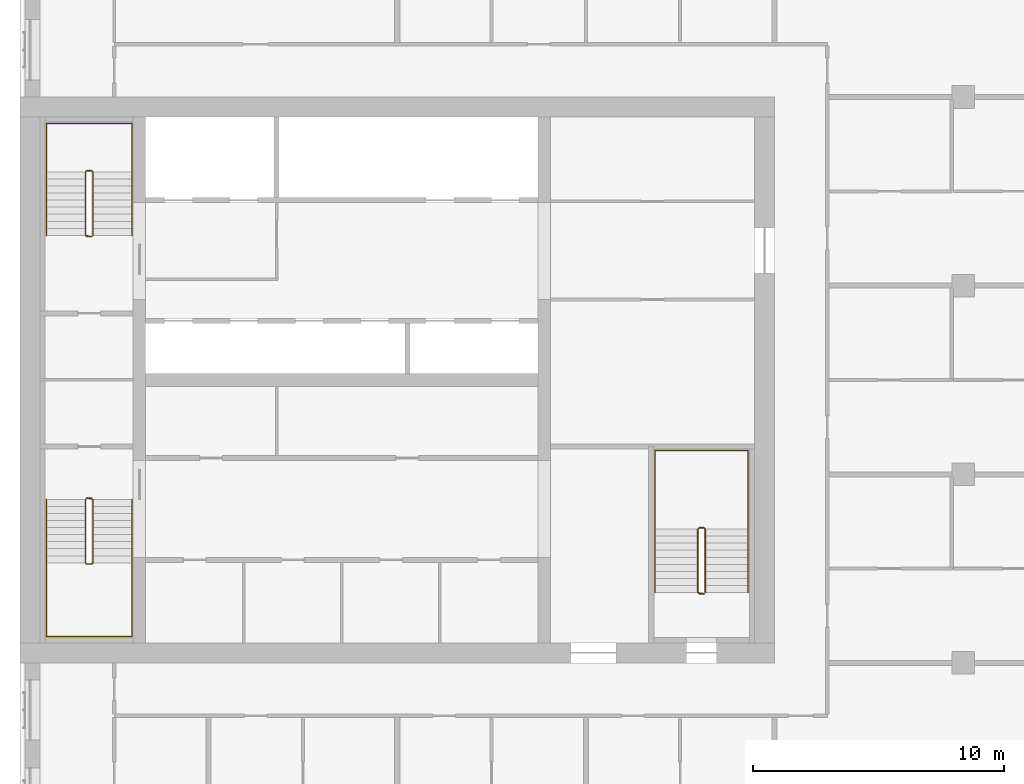
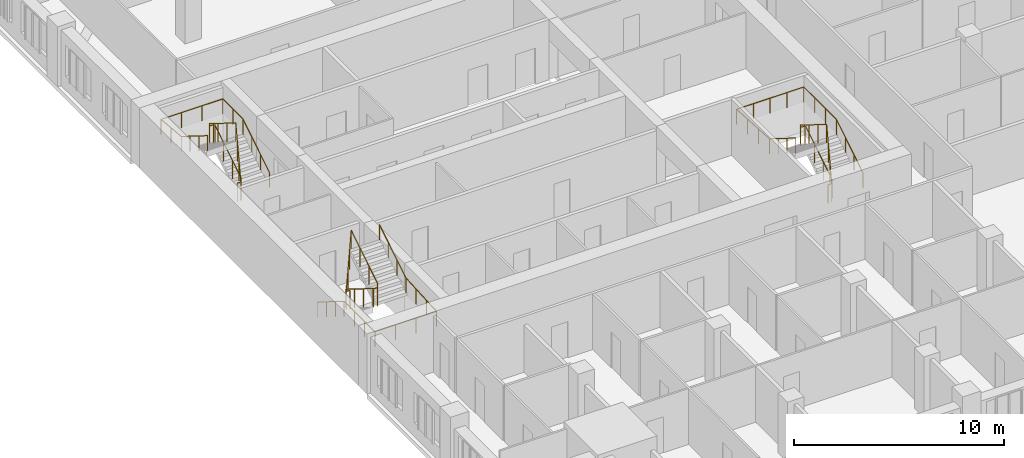
# One storey, part 14 of 14: 6 railings.
"""IFC4 building model written with IfcOpenShell, lengths in metres."""

from ifc_helpers import new_model, si_unit, direction, frame, origin, origin_2d, place, context, subcontext, project, spatial, circle, extrude, material, type_object, element, save


model = new_model("IFC4")

# Units and contexts
model_context = context("Model", 3, precision=1e-05, world=origin(), true_north=direction((0.0, 1.0)))
body_context = subcontext(model_context, "Body", "Model", "MODEL_VIEW")
ifc_project = project(units=[si_unit("LENGTHUNIT", "METRE"), si_unit("AREAUNIT", "SQUARE_METRE"), si_unit("VOLUMEUNIT", "CUBIC_METRE"), si_unit("PLANEANGLEUNIT", "RADIAN"), si_unit("MASSUNIT", "GRAM", prefix="KILO")], contexts=[model_context])

# Site, building, storey
site_placement = place(None, origin())
site = spatial("IfcSite", under=ifc_project, at=site_placement, CompositionType="ELEMENT")
building_placement = place(site_placement, origin())
building = spatial("IfcBuilding", under=site, at=building_placement, Name="Tamorin Gate", CompositionType="ELEMENT")
storey_placement = place(building_placement, frame((0.0, 0.0, 200.199951171875)))
storey = spatial("IfcBuildingStorey", under=building, at=storey_placement, Name="L49", CompositionType="ELEMENT", Elevation=200.199951171875)

# Railings
ifc_material_1 = material(Name="Painted steel balustrade", Category="steel")
railing_type_1 = type_object("IfcRailingType", Name="Stair guard 1100", PredefinedType="GUARDRAIL", material=ifc_material_1)
railing_1_placement = place(storey_placement, frame((32.60009765625, 66.5, 0.175048828125)))
element("IfcRailing", 1, at=railing_1_placement, inside=storey, type_object=railing_type_1, Name="L49 ST1 stair guard 1", PredefinedType="GUARDRAIL", context=body_context, shape_type="SweptSolid", body=[
    extrude(circle(Radius=0.02392578125, at=origin_2d()), frame((0.0, 0.0, 1.076171875), z_axis=(0.0, -0.848007534815, 0.529984170421), x_axis=(1.0, 0.0, 0.0)), (0.0, 0.0, 1.0), 2.9716796875),
    extrude(circle(Radius=0.02392578125, at=origin_2d()), frame((0.0, -2.52001953125, 2.65087890625), z_axis=(0.705375805398, -0.708833529934, 0.0), x_axis=(0.708833529934, 0.705375805398, 0.0)), (0.0, 0.0, 1.0), 0.070556640625),
    extrude(circle(Radius=0.02392578125, at=origin_2d()), frame((0.0498046875, -2.570068359375, 2.65087890625), z_axis=(1.0, 0.0, 0.0), x_axis=(0.0, 1.0, 0.0)), (0.0, 0.0, 1.0), 0.2001953125),
    extrude(circle(Radius=0.02392578125, at=origin_2d()), frame((0.25, -2.570068359375, 2.65087890625), z_axis=(0.263862480399, 0.265155923931, 0.927399011991), x_axis=(-0.708833529934, 0.705375805398, 0.0)), (0.0, 0.0, 1.0), 0.188720703125),
    extrude(circle(Radius=0.02392578125, at=origin_2d()), frame((0.2998046875, -2.52001953125, 2.826171875), z_axis=(0.0, 0.848007534815, 0.529984170421), x_axis=(-1.0, 0.0, 0.0)), (0.0, 0.0, 1.0), 2.9716796875),
    extrude(circle(Radius=0.02392578125, at=origin_2d()), frame((0.2998046875, 0.0, 4.40087890625), z_axis=(-0.071239803756, 0.014261874775, -0.997357252587), x_axis=(-0.196300278283, -0.98054382908, 0.0)), (0.0, 0.0, 1.0), 3.50927734375),
    extrude(circle(Radius=0.02392578125, at=origin_2d()), frame((0.0498046875, 0.050048828125, 0.90087890625), z_axis=(1.0, 0.0, 0.0), x_axis=(0.0, 1.0, 0.0)), (0.0, 0.0, 1.0), 0.2001953125),
    extrude(circle(Radius=0.02099609375, at=origin_2d()), origin(), (0.0, 0.0, 1.0), 1.052001953125),
    extrude(circle(Radius=0.02099609375, at=origin_2d()), frame((0.0, -0.840087890625, 0.52490234375)), (0.0, 0.0, 1.0), 1.052001953125),
    extrude(circle(Radius=0.02099609375, at=origin_2d()), frame((0.0, -1.679931640625, 1.050048828125)), (0.0, 0.0, 1.0), 1.052001953125),
    extrude(circle(Radius=0.02099609375, at=origin_2d()), frame((0.0, -2.52001953125, 1.574951171875)), (0.0, 0.0, 1.0), 1.052001953125),
    extrude(circle(Radius=0.02099609375, at=origin_2d()), frame((0.0498046875, -2.570068359375, 1.574951171875)), (0.0, 0.0, 1.0), 1.052001953125),
    extrude(circle(Radius=0.02099609375, at=origin_2d()), frame((0.25, -2.570068359375, 1.574951171875)), (0.0, 0.0, 1.0), 1.052001953125),
    extrude(circle(Radius=0.02099609375, at=origin_2d()), frame((0.2998046875, -2.52001953125, 1.75)), (0.0, 0.0, 1.0), 1.052001953125),
    extrude(circle(Radius=0.02099609375, at=origin_2d()), frame((0.2998046875, -1.679931640625, 2.27490234375)), (0.0, 0.0, 1.0), 1.052001953125),
    extrude(circle(Radius=0.02099609375, at=origin_2d()), frame((0.2998046875, -0.840087890625, 2.800048828125)), (0.0, 0.0, 1.0), 1.052001953125),
    extrude(circle(Radius=0.02099609375, at=origin_2d()), frame((0.2998046875, 0.0, 3.324951171875)), (0.0, 0.0, 1.0), 1.052001953125),
    extrude(circle(Radius=0.02099609375, at=origin_2d()), frame((0.216552734375, 0.0166015625, 2.158203125)), (0.0, 0.0, 1.0), 1.052001953125),
    extrude(circle(Radius=0.02099609375, at=origin_2d()), frame((0.133056640625, 0.033447265625, 0.99169921875)), (0.0, 0.0, 1.0), 1.052001953125),
    extrude(circle(Radius=0.02099609375, at=origin_2d()), frame((0.0498046875, 0.050048828125, -0.175048828125)), (0.0, 0.0, 1.0), 1.052001953125),
    extrude(circle(Radius=0.02099609375, at=origin_2d()), frame((0.25, 0.050048828125, -0.175048828125)), (0.0, 0.0, 1.0), 1.052001953125),
])
railing_2_placement = place(storey_placement, frame((32.89990234375, 77.0, 0.175048828125)))
element("IfcRailing", 2, at=railing_2_placement, inside=storey, type_object=railing_type_1, Name="L49 ST2 stair guard 1", PredefinedType="GUARDRAIL", context=body_context, shape_type="SweptSolid", body=[
    extrude(circle(Radius=0.02392578125, at=origin_2d()), frame((0.0, 0.0, 1.076171875), z_axis=(0.0, 0.848007534815, 0.529984170421), x_axis=(-1.0, 0.0, 0.0)), (0.0, 0.0, 1.0), 2.9716796875),
    extrude(circle(Radius=0.02392578125, at=origin_2d()), frame((0.0, 2.52001953125, 2.65087890625), z_axis=(-0.705375805398, 0.708833529934, 0.0), x_axis=(-0.708833529934, -0.705375805398, 0.0)), (0.0, 0.0, 1.0), 0.070556640625),
    extrude(circle(Radius=0.02392578125, at=origin_2d()), frame((-0.0498046875, 2.570068359375, 2.65087890625), z_axis=(-1.0, 0.0, 0.0), x_axis=(0.0, -1.0, 0.0)), (0.0, 0.0, 1.0), 0.2001953125),
    extrude(circle(Radius=0.02392578125, at=origin_2d()), frame((-0.25, 2.570068359375, 2.65087890625), z_axis=(-0.263862480399, -0.265155923931, 0.927399011991), x_axis=(0.708833529934, -0.705375805398, 0.0)), (0.0, 0.0, 1.0), 0.188720703125),
    extrude(circle(Radius=0.02392578125, at=origin_2d()), frame((-0.2998046875, 2.52001953125, 2.826171875), z_axis=(0.0, -0.848007534815, 0.529984170421), x_axis=(1.0, 0.0, 0.0)), (0.0, 0.0, 1.0), 2.9716796875),
    extrude(circle(Radius=0.02392578125, at=origin_2d()), frame((-0.2998046875, 0.0, 4.40087890625), z_axis=(0.071239803756, -0.014261874775, -0.997357252587), x_axis=(0.196300278283, 0.98054382908, 0.0)), (0.0, 0.0, 1.0), 3.50927734375),
    extrude(circle(Radius=0.02392578125, at=origin_2d()), frame((-0.0498046875, -0.050048828125, 0.90087890625), z_axis=(-1.0, 0.0, 0.0), x_axis=(0.0, -1.0, 0.0)), (0.0, 0.0, 1.0), 0.2001953125),
    extrude(circle(Radius=0.02099609375, at=origin_2d()), origin(), (0.0, 0.0, 1.0), 1.052001953125),
    extrude(circle(Radius=0.02099609375, at=origin_2d()), frame((0.0, 0.840087890625, 0.52490234375)), (0.0, 0.0, 1.0), 1.052001953125),
    extrude(circle(Radius=0.02099609375, at=origin_2d()), frame((0.0, 1.679931640625, 1.050048828125)), (0.0, 0.0, 1.0), 1.052001953125),
    extrude(circle(Radius=0.02099609375, at=origin_2d()), frame((0.0, 2.52001953125, 1.574951171875)), (0.0, 0.0, 1.0), 1.052001953125),
    extrude(circle(Radius=0.02099609375, at=origin_2d()), frame((-0.0498046875, 2.570068359375, 1.574951171875)), (0.0, 0.0, 1.0), 1.052001953125),
    extrude(circle(Radius=0.02099609375, at=origin_2d()), frame((-0.25, 2.570068359375, 1.574951171875)), (0.0, 0.0, 1.0), 1.052001953125),
    extrude(circle(Radius=0.02099609375, at=origin_2d()), frame((-0.2998046875, 2.52001953125, 1.75)), (0.0, 0.0, 1.0), 1.052001953125),
    extrude(circle(Radius=0.02099609375, at=origin_2d()), frame((-0.2998046875, 1.679931640625, 2.27490234375)), (0.0, 0.0, 1.0), 1.052001953125),
    extrude(circle(Radius=0.02099609375, at=origin_2d()), frame((-0.2998046875, 0.840087890625, 2.800048828125)), (0.0, 0.0, 1.0), 1.052001953125),
    extrude(circle(Radius=0.02099609375, at=origin_2d()), frame((-0.2998046875, 0.0, 3.324951171875)), (0.0, 0.0, 1.0), 1.052001953125),
    extrude(circle(Radius=0.02099609375, at=origin_2d()), frame((-0.216552734375, -0.0166015625, 2.158203125)), (0.0, 0.0, 1.0), 1.052001953125),
    extrude(circle(Radius=0.02099609375, at=origin_2d()), frame((-0.133056640625, -0.033447265625, 0.99169921875)), (0.0, 0.0, 1.0), 1.052001953125),
    extrude(circle(Radius=0.02099609375, at=origin_2d()), frame((-0.0498046875, -0.050048828125, -0.175048828125)), (0.0, 0.0, 1.0), 1.052001953125),
    extrude(circle(Radius=0.02099609375, at=origin_2d()), frame((-0.25, -0.050048828125, -0.175048828125)), (0.0, 0.0, 1.0), 1.052001953125),
])
railing_3_placement = place(storey_placement, frame((57.25, 62.800048828125, 0.175048828125)))
element("IfcRailing", 3, at=railing_3_placement, inside=storey, type_object=railing_type_1, Name="L49 ST3 stair guard 1", PredefinedType="GUARDRAIL", context=body_context, shape_type="SweptSolid", body=[
    extrude(circle(Radius=0.02392578125, at=origin_2d()), frame((0.0, 0.0, 1.076171875), z_axis=(0.0, 0.848007534815, 0.529984170421), x_axis=(-1.0, 0.0, 0.0)), (0.0, 0.0, 1.0), 2.9716796875),
    extrude(circle(Radius=0.02392578125, at=origin_2d()), frame((0.0, 2.52001953125, 2.65087890625), z_axis=(-0.707106781187, 0.707106781187, 0.0), x_axis=(-0.707106781187, -0.707106781187, 0.0)), (0.0, 0.0, 1.0), 0.07080078125),
    extrude(circle(Radius=0.02392578125, at=origin_2d()), frame((-0.050048828125, 2.570068359375, 2.65087890625), z_axis=(-1.0, 0.0, 0.0), x_axis=(0.0, -1.0, 0.0)), (0.0, 0.0, 1.0), 0.199951171875),
    extrude(circle(Radius=0.02392578125, at=origin_2d()), frame((-0.25, 2.570068359375, 2.65087890625), z_axis=(-0.265065253269, -0.265065253269, 0.927081885822), x_axis=(0.707106781187, -0.707106781187, 0.0)), (0.0, 0.0, 1.0), 0.188720703125),
    extrude(circle(Radius=0.02392578125, at=origin_2d()), frame((-0.300048828125, 2.52001953125, 2.826171875), z_axis=(0.0, -0.848007534815, 0.529984170421), x_axis=(1.0, 0.0, 0.0)), (0.0, 0.0, 1.0), 2.9716796875),
    extrude(circle(Radius=0.02392578125, at=origin_2d()), frame((-0.300048828125, 0.0, 4.40087890625), z_axis=(0.071239803756, -0.014261874775, -0.997357252587), x_axis=(0.196300278283, 0.98054382908, 0.0)), (0.0, 0.0, 1.0), 3.50927734375),
    extrude(circle(Radius=0.02392578125, at=origin_2d()), frame((-0.050048828125, -0.050048828125, 0.90087890625), z_axis=(-1.0, 0.0, 0.0), x_axis=(0.0, -1.0, 0.0)), (0.0, 0.0, 1.0), 0.199951171875),
    extrude(circle(Radius=0.02099609375, at=origin_2d()), origin(), (0.0, 0.0, 1.0), 1.052001953125),
    extrude(circle(Radius=0.02099609375, at=origin_2d()), frame((0.0, 0.840087890625, 0.52490234375)), (0.0, 0.0, 1.0), 1.052001953125),
    extrude(circle(Radius=0.02099609375, at=origin_2d()), frame((0.0, 1.679931640625, 1.050048828125)), (0.0, 0.0, 1.0), 1.052001953125),
    extrude(circle(Radius=0.02099609375, at=origin_2d()), frame((0.0, 2.52001953125, 1.574951171875)), (0.0, 0.0, 1.0), 1.052001953125),
    extrude(circle(Radius=0.02099609375, at=origin_2d()), frame((-0.050048828125, 2.570068359375, 1.574951171875)), (0.0, 0.0, 1.0), 1.052001953125),
    extrude(circle(Radius=0.02099609375, at=origin_2d()), frame((-0.25, 2.570068359375, 1.574951171875)), (0.0, 0.0, 1.0), 1.052001953125),
    extrude(circle(Radius=0.02099609375, at=origin_2d()), frame((-0.300048828125, 2.52001953125, 1.75)), (0.0, 0.0, 1.0), 1.052001953125),
    extrude(circle(Radius=0.02099609375, at=origin_2d()), frame((-0.300048828125, 1.679931640625, 2.27490234375)), (0.0, 0.0, 1.0), 1.052001953125),
    extrude(circle(Radius=0.02099609375, at=origin_2d()), frame((-0.300048828125, 0.840087890625, 2.800048828125)), (0.0, 0.0, 1.0), 1.052001953125),
    extrude(circle(Radius=0.02099609375, at=origin_2d()), frame((-0.300048828125, 0.0, 3.324951171875)), (0.0, 0.0, 1.0), 1.052001953125),
    extrude(circle(Radius=0.02099609375, at=origin_2d()), frame((-0.216796875, -0.0166015625, 2.158203125)), (0.0, 0.0, 1.0), 1.052001953125),
    extrude(circle(Radius=0.02099609375, at=origin_2d()), frame((-0.13330078125, -0.033447265625, 0.99169921875)), (0.0, 0.0, 1.0), 1.052001953125),
    extrude(circle(Radius=0.02099609375, at=origin_2d()), frame((-0.050048828125, -0.050048828125, -0.175048828125)), (0.0, 0.0, 1.0), 1.052001953125),
    extrude(circle(Radius=0.02099609375, at=origin_2d()), frame((-0.25, -0.050048828125, -0.175048828125)), (0.0, 0.0, 1.0), 1.052001953125),
])
ifc_material_2 = material(Name="Painted steel handrail", Category="steel")
railing_type_2 = type_object("IfcRailingType", Name="Stair handrail 900", PredefinedType="HANDRAIL", material=ifc_material_2)
railing_4_placement = place(storey_placement, frame((31.050048828125, 66.5, 0.175048828125)))
element("IfcRailing", 4, at=railing_4_placement, inside=storey, type_object=railing_type_2, Name="L49 ST1 stair handrail 1", PredefinedType="HANDRAIL", context=body_context, shape_type="SweptSolid", body=[
    extrude(circle(Radius=0.02392578125, at=origin_2d()), frame((0.0, 0.0, 0.8759765625), z_axis=(0.0, -0.848007534815, 0.529984170421), x_axis=(1.0, 0.0, 0.0)), (0.0, 0.0, 1.0), 2.9716796875),
    extrude(circle(Radius=0.02392578125, at=origin_2d()), frame((0.0, -2.52001953125, 2.45068359375), z_axis=(0.0, -1.0, 0.0), x_axis=(1.0, 0.0, 0.0)), (0.0, 0.0, 1.0), 2.929931640625),
    extrude(circle(Radius=0.02392578125, at=origin_2d()), frame((0.0, -5.449951171875, 2.45068359375), z_axis=(1.0, 0.0, 0.0), x_axis=(0.0, 1.0, 0.0)), (0.0, 0.0, 1.0), 3.39990234375),
    extrude(circle(Radius=0.02392578125, at=origin_2d()), frame((3.39990234375, -5.449951171875, 2.45068359375), z_axis=(0.0, 0.998220029962, 0.0596386769), x_axis=(-1.0, 0.0, 0.0)), (0.0, 0.0, 1.0), 2.93505859375),
    extrude(circle(Radius=0.02392578125, at=origin_2d()), frame((3.39990234375, -2.52001953125, 2.6259765625), z_axis=(0.0, 0.848007534815, 0.529984170421), x_axis=(-1.0, 0.0, 0.0)), (0.0, 0.0, 1.0), 2.9716796875),
    extrude(circle(Radius=0.02099609375, at=origin_2d()), origin(), (0.0, 0.0, 1.0), 0.851806640625),
    extrude(circle(Radius=0.02099609375, at=origin_2d()), frame((0.0, -0.840087890625, 0.52490234375)), (0.0, 0.0, 1.0), 0.851806640625),
    extrude(circle(Radius=0.02099609375, at=origin_2d()), frame((0.0, -1.679931640625, 1.050048828125)), (0.0, 0.0, 1.0), 0.851806640625),
    extrude(circle(Radius=0.02099609375, at=origin_2d()), frame((0.0, -2.52001953125, 1.574951171875)), (0.0, 0.0, 1.0), 0.851806640625),
    extrude(circle(Radius=0.02099609375, at=origin_2d()), frame((0.0, -3.49658203125, 1.574951171875)), (0.0, 0.0, 1.0), 0.851806640625),
    extrude(circle(Radius=0.02099609375, at=origin_2d()), frame((0.0, -4.473388671875, 1.574951171875)), (0.0, 0.0, 1.0), 0.851806640625),
    extrude(circle(Radius=0.02099609375, at=origin_2d()), frame((0.0, -5.449951171875, 1.574951171875)), (0.0, 0.0, 1.0), 0.851806640625),
    extrude(circle(Radius=0.02099609375, at=origin_2d()), frame((1.13330078125, -5.449951171875, 1.574951171875)), (0.0, 0.0, 1.0), 0.851806640625),
    extrude(circle(Radius=0.02099609375, at=origin_2d()), frame((2.2666015625, -5.449951171875, 1.574951171875)), (0.0, 0.0, 1.0), 0.851806640625),
    extrude(circle(Radius=0.02099609375, at=origin_2d()), frame((3.39990234375, -5.449951171875, 1.574951171875)), (0.0, 0.0, 1.0), 0.851806640625),
    extrude(circle(Radius=0.02099609375, at=origin_2d()), frame((3.39990234375, -4.473388671875, 1.63330078125)), (0.0, 0.0, 1.0), 0.851806640625),
    extrude(circle(Radius=0.02099609375, at=origin_2d()), frame((3.39990234375, -3.49658203125, 1.691650390625)), (0.0, 0.0, 1.0), 0.851806640625),
    extrude(circle(Radius=0.02099609375, at=origin_2d()), frame((3.39990234375, -2.52001953125, 1.75)), (0.0, 0.0, 1.0), 0.851806640625),
    extrude(circle(Radius=0.02099609375, at=origin_2d()), frame((3.39990234375, -1.679931640625, 2.27490234375)), (0.0, 0.0, 1.0), 0.851806640625),
    extrude(circle(Radius=0.02099609375, at=origin_2d()), frame((3.39990234375, -0.840087890625, 2.800048828125)), (0.0, 0.0, 1.0), 0.851806640625),
    extrude(circle(Radius=0.02099609375, at=origin_2d()), frame((3.39990234375, 0.0, 3.324951171875)), (0.0, 0.0, 1.0), 0.851806640625),
])
railing_5_placement = place(storey_placement, frame((34.449951171875, 77.0, 0.175048828125)))
element("IfcRailing", 5, at=railing_5_placement, inside=storey, type_object=railing_type_2, Name="L49 ST2 stair handrail 1", PredefinedType="HANDRAIL", context=body_context, shape_type="SweptSolid", body=[
    extrude(circle(Radius=0.02392578125, at=origin_2d()), frame((0.0, 0.0, 0.8759765625), z_axis=(0.0, 0.848007534815, 0.529984170421), x_axis=(-1.0, 0.0, 0.0)), (0.0, 0.0, 1.0), 2.9716796875),
    extrude(circle(Radius=0.02392578125, at=origin_2d()), frame((0.0, 2.52001953125, 2.45068359375), z_axis=(0.0, 1.0, 0.0), x_axis=(-1.0, 0.0, 0.0)), (0.0, 0.0, 1.0), 1.929931640625),
    extrude(circle(Radius=0.02392578125, at=origin_2d()), frame((0.0, 4.449951171875, 2.45068359375), z_axis=(-1.0, 0.0, 0.0), x_axis=(0.0, -1.0, 0.0)), (0.0, 0.0, 1.0), 3.39990234375),
    extrude(circle(Radius=0.02392578125, at=origin_2d()), frame((-3.39990234375, 4.449951171875, 2.45068359375), z_axis=(0.0, -0.995911773435, 0.090331276604), x_axis=(1.0, 0.0, 0.0)), (0.0, 0.0, 1.0), 1.937744140625),
    extrude(circle(Radius=0.02392578125, at=origin_2d()), frame((-3.39990234375, 2.52001953125, 2.6259765625), z_axis=(0.0, -0.848007534815, 0.529984170421), x_axis=(1.0, 0.0, 0.0)), (0.0, 0.0, 1.0), 2.9716796875),
    extrude(circle(Radius=0.02099609375, at=origin_2d()), origin(), (0.0, 0.0, 1.0), 0.851806640625),
    extrude(circle(Radius=0.02099609375, at=origin_2d()), frame((0.0, 0.840087890625, 0.52490234375)), (0.0, 0.0, 1.0), 0.851806640625),
    extrude(circle(Radius=0.02099609375, at=origin_2d()), frame((0.0, 1.679931640625, 1.050048828125)), (0.0, 0.0, 1.0), 0.851806640625),
    extrude(circle(Radius=0.02099609375, at=origin_2d()), frame((0.0, 2.52001953125, 1.574951171875)), (0.0, 0.0, 1.0), 0.851806640625),
    extrude(circle(Radius=0.02099609375, at=origin_2d()), frame((0.0, 3.48486328125, 1.574951171875)), (0.0, 0.0, 1.0), 0.851806640625),
    extrude(circle(Radius=0.02099609375, at=origin_2d()), frame((0.0, 4.449951171875, 1.574951171875)), (0.0, 0.0, 1.0), 0.851806640625),
    extrude(circle(Radius=0.02099609375, at=origin_2d()), frame((-1.13330078125, 4.449951171875, 1.574951171875)), (0.0, 0.0, 1.0), 0.851806640625),
    extrude(circle(Radius=0.02099609375, at=origin_2d()), frame((-2.2666015625, 4.449951171875, 1.574951171875)), (0.0, 0.0, 1.0), 0.851806640625),
    extrude(circle(Radius=0.02099609375, at=origin_2d()), frame((-3.39990234375, 4.449951171875, 1.574951171875)), (0.0, 0.0, 1.0), 0.851806640625),
    extrude(circle(Radius=0.02099609375, at=origin_2d()), frame((-3.39990234375, 3.48486328125, 1.66259765625)), (0.0, 0.0, 1.0), 0.851806640625),
    extrude(circle(Radius=0.02099609375, at=origin_2d()), frame((-3.39990234375, 2.52001953125, 1.75)), (0.0, 0.0, 1.0), 0.851806640625),
    extrude(circle(Radius=0.02099609375, at=origin_2d()), frame((-3.39990234375, 1.679931640625, 2.27490234375)), (0.0, 0.0, 1.0), 0.851806640625),
    extrude(circle(Radius=0.02099609375, at=origin_2d()), frame((-3.39990234375, 0.840087890625, 2.800048828125)), (0.0, 0.0, 1.0), 0.851806640625),
    extrude(circle(Radius=0.02099609375, at=origin_2d()), frame((-3.39990234375, 0.0, 3.324951171875)), (0.0, 0.0, 1.0), 0.851806640625),
])
railing_6_placement = place(storey_placement, frame((58.949951171875, 62.800048828125, 0.175048828125)))
element("IfcRailing", 6, at=railing_6_placement, inside=storey, type_object=railing_type_2, Name="L49 ST3 stair handrail 1", PredefinedType="HANDRAIL", context=body_context, shape_type="SweptSolid", body=[
    extrude(circle(Radius=0.02392578125, at=origin_2d()), frame((0.0, 0.0, 0.8759765625), z_axis=(0.0, 0.848007534815, 0.529984170421), x_axis=(-1.0, 0.0, 0.0)), (0.0, 0.0, 1.0), 2.9716796875),
    extrude(circle(Radius=0.02392578125, at=origin_2d()), frame((0.0, 2.52001953125, 2.45068359375), z_axis=(0.0, 1.0, 0.0), x_axis=(-1.0, 0.0, 0.0)), (0.0, 0.0, 1.0), 3.1298828125),
    extrude(circle(Radius=0.02392578125, at=origin_2d()), frame((0.0, 5.64990234375, 2.45068359375), z_axis=(-1.0, 0.0, 0.0), x_axis=(0.0, -1.0, 0.0)), (0.0, 0.0, 1.0), 3.699951171875),
    extrude(circle(Radius=0.02392578125, at=origin_2d()), frame((-3.699951171875, 5.64990234375, 2.45068359375), z_axis=(0.0, -0.998439675676, 0.055840970941), x_axis=(1.0, 0.0, 0.0)), (0.0, 0.0, 1.0), 3.134765625),
    extrude(circle(Radius=0.02392578125, at=origin_2d()), frame((-3.699951171875, 2.52001953125, 2.6259765625), z_axis=(0.0, -0.848007534815, 0.529984170421), x_axis=(1.0, 0.0, 0.0)), (0.0, 0.0, 1.0), 2.9716796875),
    extrude(circle(Radius=0.02099609375, at=origin_2d()), origin(), (0.0, 0.0, 1.0), 0.851806640625),
    extrude(circle(Radius=0.02099609375, at=origin_2d()), frame((0.0, 0.840087890625, 0.52490234375)), (0.0, 0.0, 1.0), 0.851806640625),
    extrude(circle(Radius=0.02099609375, at=origin_2d()), frame((0.0, 1.679931640625, 1.050048828125)), (0.0, 0.0, 1.0), 0.851806640625),
    extrude(circle(Radius=0.02099609375, at=origin_2d()), frame((0.0, 2.52001953125, 1.574951171875)), (0.0, 0.0, 1.0), 0.851806640625),
    extrude(circle(Radius=0.02099609375, at=origin_2d()), frame((0.0, 3.563232421875, 1.574951171875)), (0.0, 0.0, 1.0), 0.851806640625),
    extrude(circle(Radius=0.02099609375, at=origin_2d()), frame((0.0, 4.606689453125, 1.574951171875)), (0.0, 0.0, 1.0), 0.851806640625),
    extrude(circle(Radius=0.02099609375, at=origin_2d()), frame((0.0, 5.64990234375, 1.574951171875)), (0.0, 0.0, 1.0), 0.851806640625),
    extrude(circle(Radius=0.02099609375, at=origin_2d()), frame((-0.925048828125, 5.64990234375, 1.574951171875)), (0.0, 0.0, 1.0), 0.851806640625),
    extrude(circle(Radius=0.02099609375, at=origin_2d()), frame((-1.85009765625, 5.64990234375, 1.574951171875)), (0.0, 0.0, 1.0), 0.851806640625),
    extrude(circle(Radius=0.02099609375, at=origin_2d()), frame((-2.77490234375, 5.64990234375, 1.574951171875)), (0.0, 0.0, 1.0), 0.851806640625),
    extrude(circle(Radius=0.02099609375, at=origin_2d()), frame((-3.699951171875, 5.64990234375, 1.574951171875)), (0.0, 0.0, 1.0), 0.851806640625),
    extrude(circle(Radius=0.02099609375, at=origin_2d()), frame((-3.699951171875, 4.606689453125, 1.63330078125)), (0.0, 0.0, 1.0), 0.851806640625),
    extrude(circle(Radius=0.02099609375, at=origin_2d()), frame((-3.699951171875, 3.563232421875, 1.691650390625)), (0.0, 0.0, 1.0), 0.851806640625),
    extrude(circle(Radius=0.02099609375, at=origin_2d()), frame((-3.699951171875, 2.52001953125, 1.75)), (0.0, 0.0, 1.0), 0.851806640625),
    extrude(circle(Radius=0.02099609375, at=origin_2d()), frame((-3.699951171875, 1.679931640625, 2.27490234375)), (0.0, 0.0, 1.0), 0.851806640625),
    extrude(circle(Radius=0.02099609375, at=origin_2d()), frame((-3.699951171875, 0.840087890625, 2.800048828125)), (0.0, 0.0, 1.0), 0.851806640625),
    extrude(circle(Radius=0.02099609375, at=origin_2d()), frame((-3.699951171875, 0.0, 3.324951171875)), (0.0, 0.0, 1.0), 0.851806640625),
])

save(model, "model.ifc")
